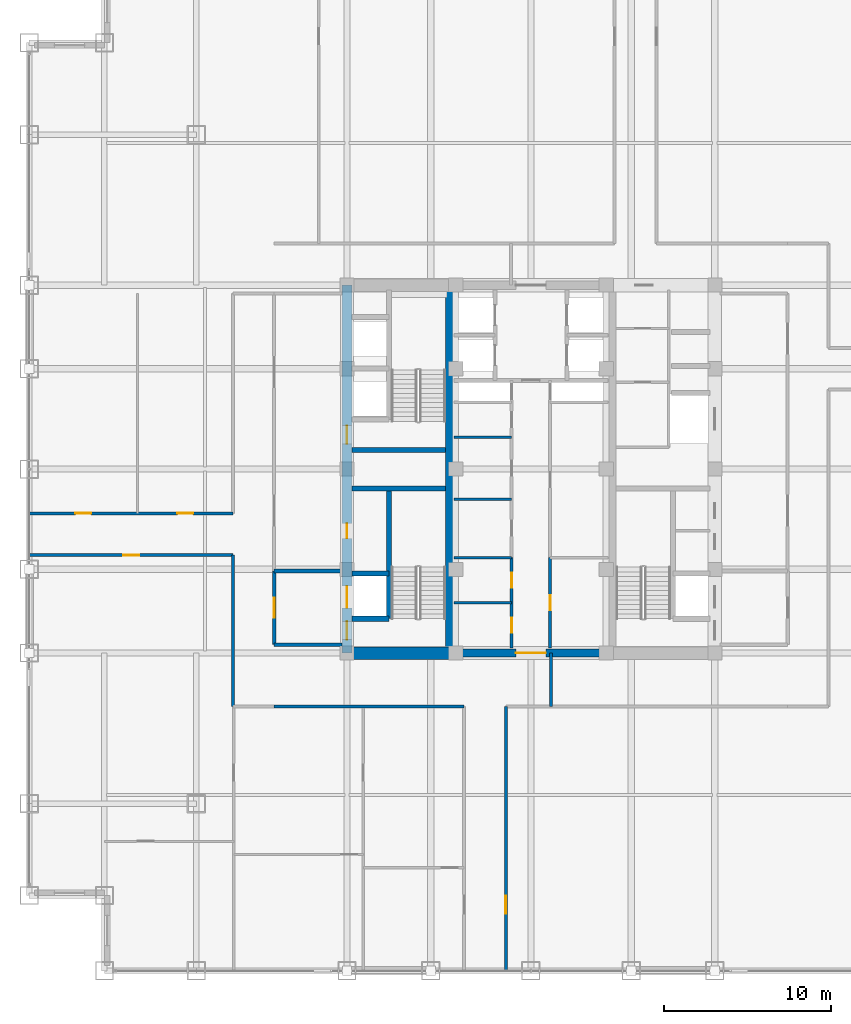
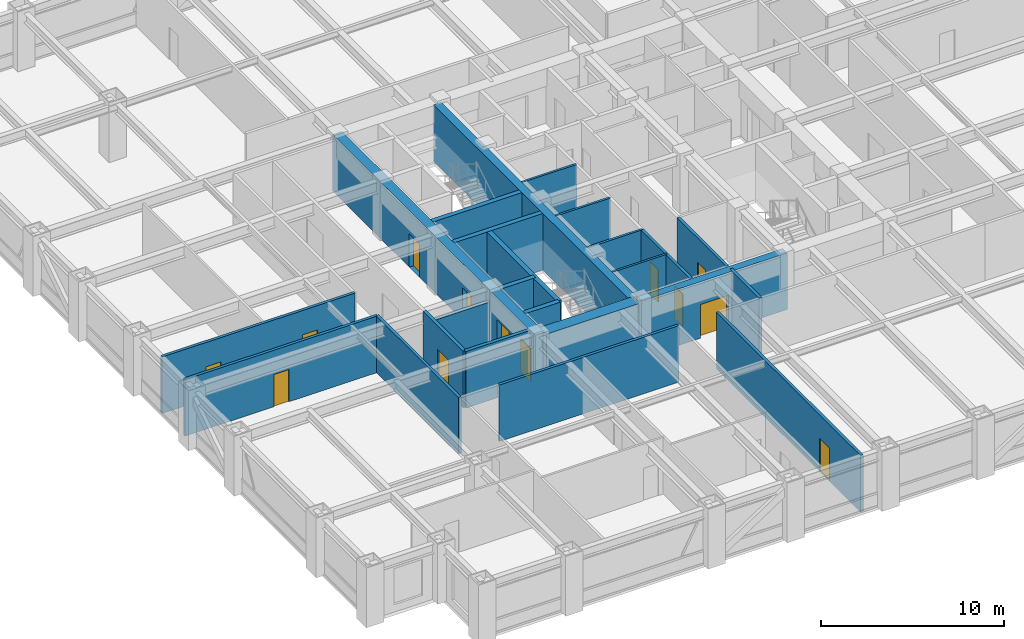
# One storey, part 20 of 24: 24 walls, 13 doors, 13 openings.
"""IFC4 building model written with IfcOpenShell, lengths in metres."""

from ifc_helpers import new_model, si_unit, direction, frame, frame_2d, origin, place, context, subcontext, project, spatial, rectangle, extrude, source, transform, mapped, material, layer, layer_set, type_object, element, fill, save


model = new_model("IFC4")

# Units and contexts
model_context = context("Model", 3, precision=1e-05, world=origin(), true_north=direction((0.0, 1.0)))
body_context = subcontext(model_context, "Body", "Model", "MODEL_VIEW")
ifc_project = project(units=[si_unit("LENGTHUNIT", "METRE"), si_unit("AREAUNIT", "SQUARE_METRE"), si_unit("VOLUMEUNIT", "CUBIC_METRE"), si_unit("PLANEANGLEUNIT", "RADIAN"), si_unit("MASSUNIT", "GRAM", prefix="KILO")], contexts=[model_context])

# Site, building, storey
site_placement = place(None, origin())
site = spatial("IfcSite", under=ifc_project, at=site_placement, CompositionType="ELEMENT")
building_placement = place(site_placement, origin())
building = spatial("IfcBuilding", under=site, at=building_placement, Name="Khorayat Bourse Tower", CompositionType="ELEMENT")
storey_placement = place(building_placement, frame((0.0, 0.0, 171.10009765625)))
storey = spatial("IfcBuildingStorey", under=building, at=storey_placement, Name="L39", CompositionType="ELEMENT", Elevation=171.10009765625)

# Wall, openings, doors
ifc_material_1 = material(Name="Concrete C60/75", Category="concrete")
ifc_layer_1 = layer(ifc_material_1, 0.60009765625)
ifc_layer_set_1 = layer_set([ifc_layer_1], Name="Concrete C60/75")
wall_type_1 = type_object("IfcWallType", Name="WAL-CORE-600", PredefinedType="SHEAR", material=ifc_layer_set_1)
shared_shape_1 = source(origin(), body_context, "Body", "SweptSolid", [
    extrude(rectangle(XDim=22.0, YDim=0.60009765625, at=frame_2d((11.0, 0.0))), origin(), (0.0, 0.0, 1.0), 3.77978515625),
])
wall_1_placement = place(storey_placement, frame((-11.0, -11.0, 0.0), z_axis=(0.0, 0.0, 1.0), x_axis=(0.0, 1.0, 0.0)))
wall_1 = element("IfcWall", 1, at=wall_1_placement, inside=storey, type_object=wall_type_1, Name="L39 Core Shear Wall CORE-W", PredefinedType="SHEAR", context=body_context, shape_type="MappedRepresentation", body=[
    mapped(shared_shape_1, transform((0.0, 0.0, 0.0), scale=1.0)),
])
shared_shape_2 = source(origin(), body_context, "Body", "SweptSolid", [
    extrude(rectangle(XDim=1.10009765625, YDim=2.199951171875, at=frame_2d((0.550048828125, 1.10009765625))), frame((0.0, 0.31005859375, 0.0), z_axis=(0.0, -1.0, 0.0), x_axis=(1.0, 0.0, 0.0)), (0.0, 0.0, 1.0), 0.6201171875),
])
opening_1_placement = place(wall_1_placement, frame((0.800048828125, 0.0, 0.0)))
opening_1 = element("IfcOpeningElement", 2, at=opening_1_placement, cuts=wall_1, Name="Opening DI-01", PredefinedType="OPENING", context=body_context, shape_type="MappedRepresentation", body=[
    mapped(shared_shape_2, transform((0.0, 0.0, 0.0), scale=1.0)),
])
opening_2_placement = place(wall_1_placement, frame((12.5, 0.0, 0.0)))
opening_2 = element("IfcOpeningElement", 3, at=opening_2_placement, cuts=wall_1, Name="Opening DI-01", PredefinedType="OPENING", context=body_context, shape_type="MappedRepresentation", body=[
    mapped(shared_shape_2, transform((0.0, 0.0, 0.0), scale=1.0)),
])
shared_shape_3 = source(origin(), body_context, "Body", "SweptSolid", [
    extrude(rectangle(XDim=0.89990234375, YDim=2.14990234375, at=frame_2d((0.449951171875, 1.074951171875))), frame((0.0, 0.31005859375, 0.0), z_axis=(0.0, -1.0, 0.0), x_axis=(1.0, 0.0, 0.0)), (0.0, 0.0, 1.0), 0.6201171875),
])
opening_3_placement = place(wall_1_placement, frame((6.85009765625, 0.0, 0.0)))
opening_3 = element("IfcOpeningElement", 4, at=opening_3_placement, cuts=wall_1, Name="Opening DI-06", PredefinedType="OPENING", context=body_context, shape_type="MappedRepresentation", body=[
    mapped(shared_shape_3, transform((0.0, 0.0, 0.0), scale=1.0)),
])
shared_shape_4 = source(origin(), body_context, "Body", "SweptSolid", [
    extrude(rectangle(XDim=1.300048828125, YDim=2.300048828125, at=frame_2d((0.64990234375, 1.14990234375))), frame((0.0, 0.31005859375, 0.0), z_axis=(0.0, -1.0, 0.0), x_axis=(1.0, 0.0, 0.0)), (0.0, 0.0, 1.0), 0.6201171875),
])
opening_4_placement = place(wall_1_placement, frame((2.699951171875, 0.0, 0.0)))
opening_4 = element("IfcOpeningElement", 5, at=opening_4_placement, cuts=wall_1, Name="Opening LD-02", PredefinedType="OPENING", context=body_context, shape_type="MappedRepresentation", body=[
    mapped(shared_shape_4, transform((0.0, 0.0, 0.0), scale=1.0)),
])
ifc_material_2 = material(Name="Fire-rated steel acoustic leaf", Category="steel")
door_type_1 = type_object("IfcDoorType", Name="DR-INT-STAIR-1100", OperationType="NOTDEFINED", PredefinedType="DOOR", material=ifc_material_2)
shared_shape_5 = source(origin(), body_context, "Body", "SweptSolid", [
    extrude(rectangle(XDim=1.10009765625, YDim=2.199951171875, at=frame_2d((0.550048828125, 1.10009765625))), frame((0.0, 0.02490234375, 0.0), z_axis=(0.0, -1.0, 0.0), x_axis=(1.0, 0.0, 0.0)), (0.0, 0.0, 1.0), 0.050048828125),
])
door_1_placement = place(opening_1_placement, origin())
door_1 = element("IfcDoor", 6, at=door_1_placement, inside=storey, type_object=door_type_1, Name="L39 Exit Stair 1 Door", OperationType="SINGLE_SWING_RIGHT", OverallHeight=2.199951171875, OverallWidth=1.10009765625, PredefinedType="DOOR", context=body_context, shape_type="MappedRepresentation", body=[
    mapped(shared_shape_5, transform((0.0, 0.0, 0.0), scale=1.0)),
])
fill(opening_1, door_1)
door_2_placement = place(opening_2_placement, origin())
door_2 = element("IfcDoor", 7, at=door_2_placement, inside=storey, type_object=door_type_1, Name="L39 Exit Stair 2 Door", OperationType="SINGLE_SWING_RIGHT", OverallHeight=2.199951171875, OverallWidth=1.10009765625, PredefinedType="DOOR", context=body_context, shape_type="MappedRepresentation", body=[
    mapped(shared_shape_5, transform((0.0, 0.0, 0.0), scale=1.0)),
])
fill(opening_2, door_2)
ifc_material_3 = material(Name="Moisture-resistant laminate washroom door")
door_type_2 = type_object("IfcDoorType", Name="DR-INT-WC-900", OperationType="NOTDEFINED", PredefinedType="DOOR", material=ifc_material_3)
shared_shape_6 = source(origin(), body_context, "Body", "SweptSolid", [
    extrude(rectangle(XDim=0.89990234375, YDim=2.14990234375, at=frame_2d((0.449951171875, 1.074951171875))), frame((0.0, 0.02490234375, 0.0), z_axis=(0.0, -1.0, 0.0), x_axis=(1.0, 0.0, 0.0)), (0.0, 0.0, 1.0), 0.050048828125),
])
door_3_placement = place(opening_3_placement, origin())
door_3 = element("IfcDoor", 8, at=door_3_placement, inside=storey, type_object=door_type_2, Name="L39 Electrical Switch Plant Room Door", OperationType="SINGLE_SWING_RIGHT", OverallHeight=2.14990234375, OverallWidth=0.89990234375, PredefinedType="DOOR", context=body_context, shape_type="MappedRepresentation", body=[
    mapped(shared_shape_6, transform((0.0, 0.0, 0.0), scale=1.0)),
])
fill(opening_3, door_3)
ifc_material_4 = material(Name="Fire-rated stainless-steel sliding landing door", Category="steel")
door_type_3 = type_object("IfcDoorType", Name="DR-LIFT-FF-1300", OperationType="NOTDEFINED", PredefinedType="DOOR", material=ifc_material_4)
shared_shape_7 = source(origin(), body_context, "Body", "SweptSolid", [
    extrude(rectangle(XDim=1.300048828125, YDim=2.300048828125, at=frame_2d((0.64990234375, 1.14990234375))), frame((0.0, 0.02490234375, 0.0), z_axis=(0.0, -1.0, 0.0), x_axis=(1.0, 0.0, 0.0)), (0.0, 0.0, 1.0), 0.050048828125),
])
door_4_placement = place(opening_4_placement, origin())
door_4 = element("IfcDoor", 9, at=door_4_placement, inside=storey, type_object=door_type_3, Name="L39 Lift FFL-01 Sliding Landing Door", OperationType="SLIDING_TO_LEFT", OverallHeight=2.300048828125, OverallWidth=1.300048828125, PredefinedType="DOOR", context=body_context, shape_type="MappedRepresentation", body=[
    mapped(shared_shape_7, transform((0.0, 0.0, 0.0), scale=1.0)),
])
fill(opening_4, door_4)

# Walls
ifc_material_5 = material(Name="Concrete C52/65", Category="concrete")
ifc_layer_2 = layer(ifc_material_5, 0.5)
ifc_layer_set_2 = layer_set([ifc_layer_2], Name="Concrete C52/65")
wall_type_2 = type_object("IfcWallType", Name="WAL-CORE-500", PredefinedType="SHEAR", material=ifc_layer_set_2)
shared_shape_8 = source(origin(), body_context, "Body", "SweptSolid", [
    extrude(rectangle(XDim=21.39990234375, YDim=0.5, at=frame_2d((10.699951171875, 0.0))), origin(), (0.0, 0.0, 1.0), 3.77978515625),
])
wall_2_placement = place(storey_placement, frame((-4.85009765625, -10.699951171875, 0.0), z_axis=(0.0, 0.0, 1.0), x_axis=(0.0, 1.0, 0.0)))
element("IfcWall", 10, at=wall_2_placement, inside=storey, type_object=wall_type_2, Name="L39 Core Shear Wall PIER-W", PredefinedType="SHEAR", context=body_context, shape_type="MappedRepresentation", body=[
    mapped(shared_shape_8, transform((0.0, 0.0, 0.0), scale=1.0)),
])
ifc_material_6 = material(Name="Concrete C72/90", Category="concrete")
ifc_layer_3 = layer(ifc_material_6, 0.75)
ifc_layer_set_3 = layer_set([ifc_layer_3], Name="Concrete C72/90")
wall_type_3 = type_object("IfcWallType", Name="WAL-CORE-750", PredefinedType="SHEAR", material=ifc_layer_set_3)
shared_shape_9 = source(origin(), body_context, "Body", "SweptSolid", [
    extrude(rectangle(XDim=5.849853515625, YDim=0.75, at=frame_2d((2.9248046875, 0.0))), origin(), (0.0, 0.0, 1.0), 3.77978515625),
])
wall_3_placement = place(storey_placement, frame((-10.699951171875, -11.0, 0.0), z_axis=(0.0, 0.0, 1.0), x_axis=(1.0, 0.0, 0.0)))
element("IfcWall", 11, at=wall_3_placement, inside=storey, type_object=wall_type_3, Name="L39 Core Shear Wall PIER-WS", PredefinedType="SHEAR", context=body_context, shape_type="MappedRepresentation", body=[
    mapped(shared_shape_9, transform((0.0, 0.0, 0.0), scale=1.0)),
])
ifc_material_7 = material(Name="Concrete C50/60", Category="concrete")
ifc_layer_4 = layer(ifc_material_7, 0.300048828125)
ifc_layer_set_4 = layer_set([ifc_layer_4], Name="Concrete C50/60")
wall_type_4 = type_object("IfcWallType", Name="WAL-SHAFT-300", PredefinedType="SHEAR", material=ifc_layer_set_4)
shared_shape_10 = source(origin(), body_context, "Body", "SweptSolid", [
    extrude(rectangle(XDim=5.599853515625, YDim=0.300048828125, at=frame_2d((2.7998046875, 0.0))), origin(), (0.0, 0.0, 1.0), 3.77978515625),
])
for number, where, z_axis, x_axis, name in (
    (12, (-10.699951171875, -1.14990234375, 0.0), (0.0, 0.0, 1.0), (1.0, 0.0, 0.0), "L39 Core Shear Wall ST1-DIV"),
    (13, (-10.699951171875, 1.14990234375, 0.0), (0.0, 0.0, 1.0), (1.0, 0.0, 0.0), "L39 Core Shear Wall ST2-DIV"),
):
    element("IfcWall", number, at=place(storey_placement, frame(where, z_axis=z_axis, x_axis=x_axis)), inside=storey, type_object=wall_type_4, Name=name, PredefinedType="SHEAR", context=body_context, shape_type="MappedRepresentation", body=[
        mapped(shared_shape_10, transform((0.0, 0.0, 0.0), scale=1.0)),
    ])

# Wall, opening, door
shared_shape_11 = source(origin(), body_context, "Body", "SweptSolid", [
    extrude(rectangle(XDim=9.2001953125, YDim=0.5, at=frame_2d((4.60009765625, 0.0))), origin(), (0.0, 0.0, 1.0), 3.77978515625),
])
wall_4_placement = place(storey_placement, frame((-4.60009765625, -11.0, 0.0), z_axis=(0.0, 0.0, 1.0), x_axis=(1.0, 0.0, 0.0)))
wall_4 = element("IfcWall", 14, at=wall_4_placement, inside=storey, type_object=wall_type_2, Name="L39 Core Shear Wall CORE-S", PredefinedType="SHEAR", context=body_context, shape_type="MappedRepresentation", body=[
    mapped(shared_shape_11, transform((0.0, 0.0, 0.0), scale=1.0)),
])
shared_shape_12 = source(origin(), body_context, "Body", "SweptSolid", [
    extrude(rectangle(XDim=1.800048828125, YDim=2.25, at=frame_2d((0.89990234375, 1.125))), frame((0.0, 0.260009765625, 0.0), z_axis=(0.0, -1.0, 0.0), x_axis=(1.0, 0.0, 0.0)), (0.0, 0.0, 1.0), 0.52001953125),
])
opening_5_placement = place(wall_4_placement, frame((3.699951171875, 0.0, 0.0)))
opening_5 = element("IfcOpeningElement", 15, at=opening_5_placement, cuts=wall_4, Name="Opening DI-03", PredefinedType="OPENING", context=body_context, shape_type="MappedRepresentation", body=[
    mapped(shared_shape_12, transform((0.0, 0.0, 0.0), scale=1.0)),
])
ifc_material_8 = material(Name="Fire-rated hardwood vision-panel double leaf", Category="wood")
door_type_4 = type_object("IfcDoorType", Name="DR-INT-CORR-1800", OperationType="NOTDEFINED", PredefinedType="DOOR", material=ifc_material_8)
shared_shape_13 = source(origin(), body_context, "Body", "SweptSolid", [
    extrude(rectangle(XDim=1.800048828125, YDim=2.25, at=frame_2d((0.89990234375, 1.125))), frame((0.0, 0.02490234375, 0.0), z_axis=(0.0, -1.0, 0.0), x_axis=(1.0, 0.0, 0.0)), (0.0, 0.0, 1.0), 0.050048828125),
])
door_5_placement = place(opening_5_placement, origin())
door_5 = element("IfcDoor", 16, at=door_5_placement, inside=storey, type_object=door_type_4, Name="L39 Central Core South Passage Door", OperationType="SINGLE_SWING_LEFT", OverallHeight=2.25, OverallWidth=1.800048828125, PredefinedType="DOOR", context=body_context, shape_type="MappedRepresentation", body=[
    mapped(shared_shape_13, transform((0.0, 0.0, 0.0), scale=1.0)),
])
fill(opening_5, door_5)

# Walls
shared_shape_14 = source(origin(), body_context, "Body", "SweptSolid", [
    extrude(rectangle(XDim=7.800048828125, YDim=0.300048828125, at=frame_2d((3.89990234375, 0.0))), origin(), (0.0, 0.0, 1.0), 3.77978515625),
])
wall_5_placement = place(storey_placement, frame((-8.5, -8.949951171875, 0.0), z_axis=(0.0, 0.0, 1.0), x_axis=(0.0, 1.0, 0.0)))
element("IfcWall", 17, at=wall_5_placement, inside=storey, type_object=wall_type_4, Name="L39 Partition WAL-L39-WPIER-SP", PredefinedType="SHEAR", context=body_context, shape_type="MappedRepresentation", body=[
    mapped(shared_shape_14, transform((0.0, 0.0, 0.0), scale=1.0)),
])
shared_shape_15 = source(origin(), body_context, "Body", "SweptSolid", [
    extrude(rectangle(XDim=2.199951171875, YDim=0.300048828125, at=frame_2d((1.10009765625, 0.0))), origin(), (0.0, 0.0, 1.0), 3.77978515625),
])
for number, where, z_axis, x_axis, name in (
    (18, (-10.699951171875, -8.949951171875, 0.0), (0.0, 0.0, 1.0), (1.0, 0.0, 0.0), "L39 Partition WAL-L39-WPIER-FF1S"),
    (19, (-10.699951171875, -6.25, 0.0), (0.0, 0.0, 1.0), (1.0, 0.0, 0.0), "L39 Partition WAL-L39-WPIER-FF1N"),
):
    element("IfcWall", number, at=place(storey_placement, frame(where, z_axis=z_axis, x_axis=x_axis)), inside=storey, type_object=wall_type_4, Name=name, PredefinedType="SHEAR", context=body_context, shape_type="MappedRepresentation", body=[
        mapped(shared_shape_15, transform((0.0, 0.0, 0.0), scale=1.0)),
    ])
ifc_material_9 = material(Name="Aerated concrete blockwork", Category="masonry")
ifc_layer_5 = layer(ifc_material_9, 0.219970703125)
ifc_layer_set_5 = layer_set([ifc_layer_5], Name="Aerated concrete blockwork")
wall_type_5 = type_object("IfcWallType", Name="WAL-PART-FF-220", PredefinedType="PARTITIONING", material=ifc_layer_set_5)
shared_shape_16 = source(origin(), body_context, "Body", "SweptSolid", [
    extrude(rectangle(XDim=4.050048828125, YDim=0.219970703125, at=frame_2d((2.02490234375, 0.0))), origin(), (0.0, 0.0, 1.0), 3.77978515625),
])
wall_6_placement = place(storey_placement, frame((-15.35009765625, -10.5, 0.0), z_axis=(0.0, 0.0, 1.0), x_axis=(1.0, 0.0, 0.0)))
element("IfcWall", 20, at=wall_6_placement, inside=storey, type_object=wall_type_5, Name="L39 Partition WAL-L39-FFLW-S", PredefinedType="PARTITIONING", context=body_context, shape_type="MappedRepresentation", body=[
    mapped(shared_shape_16, transform((0.0, 0.0, 0.0), scale=1.0)),
])
shared_shape_17 = source(origin(), body_context, "Body", "SweptSolid", [
    extrude(rectangle(XDim=4.050048828125, YDim=0.219970703125, at=frame_2d((2.02490234375, 0.0))), origin(), (0.0, 0.0, 1.0), 3.0068359375),
])
wall_7_placement = place(storey_placement, frame((-15.35009765625, -6.10009765625, 0.0), z_axis=(0.0, 0.0, 1.0), x_axis=(1.0, 0.0, 0.0)))
element("IfcWall", 21, at=wall_7_placement, inside=storey, type_object=wall_type_5, Name="L39 Partition WAL-L39-FFLW-N", PredefinedType="PARTITIONING", context=body_context, shape_type="MappedRepresentation", body=[
    mapped(shared_shape_17, transform((0.0, 0.0, 0.0), scale=1.0)),
])

# Wall, opening, door
shared_shape_18 = source(origin(), body_context, "Body", "SweptSolid", [
    extrude(rectangle(XDim=4.39990234375, YDim=0.219970703125, at=frame_2d((2.199951171875, 0.0))), origin(), (0.0, 0.0, 1.0), 3.77978515625),
])
wall_8_placement = place(storey_placement, frame((-15.35009765625, -10.5, 0.0), z_axis=(0.0, 0.0, 1.0), x_axis=(0.0, 1.0, 0.0)))
wall_8 = element("IfcWall", 22, at=wall_8_placement, inside=storey, type_object=wall_type_5, Name="L39 Partition WAL-L39-FFLW-W", PredefinedType="PARTITIONING", context=body_context, shape_type="MappedRepresentation", body=[
    mapped(shared_shape_18, transform((0.0, 0.0, 0.0), scale=1.0)),
])
shared_shape_19 = source(origin(), body_context, "Body", "SweptSolid", [
    extrude(rectangle(XDim=1.199951171875, YDim=2.199951171875, at=frame_2d((0.60009765625, 1.10009765625))), frame((0.0, 0.119873046875, 0.0), z_axis=(0.0, -1.0, 0.0), x_axis=(1.0, 0.0, 0.0)), (0.0, 0.0, 1.0), 0.239990234375),
])
opening_6_placement = place(wall_8_placement, frame((1.60009765625, 0.0, 0.0)))
opening_6 = element("IfcOpeningElement", 23, at=opening_6_placement, cuts=wall_8, Name="Opening DI-02", PredefinedType="OPENING", context=body_context, shape_type="MappedRepresentation", body=[
    mapped(shared_shape_19, transform((0.0, 0.0, 0.0), scale=1.0)),
])
ifc_material_10 = material(Name="Fire-rated steel double-seal leaf", Category="steel")
door_type_5 = type_object("IfcDoorType", Name="DR-INT-FFLOBBY-1200", OperationType="NOTDEFINED", PredefinedType="DOOR", material=ifc_material_10)
shared_shape_20 = source(origin(), body_context, "Body", "SweptSolid", [
    extrude(rectangle(XDim=1.199951171875, YDim=2.199951171875, at=frame_2d((0.60009765625, 1.10009765625))), frame((0.0, 0.02490234375, 0.0), z_axis=(0.0, -1.0, 0.0), x_axis=(1.0, 0.0, 0.0)), (0.0, 0.0, 1.0), 0.050048828125),
])
door_6_placement = place(opening_6_placement, origin())
door_6 = element("IfcDoor", 24, at=door_6_placement, inside=storey, type_object=door_type_5, Name="L39 West Firefighting Lobby Door", OperationType="SINGLE_SWING_LEFT", OverallHeight=2.199951171875, OverallWidth=1.199951171875, PredefinedType="DOOR", context=body_context, shape_type="MappedRepresentation", body=[
    mapped(shared_shape_20, transform((0.0, 0.0, 0.0), scale=1.0)),
])
fill(opening_6, door_6)

# Walls
ifc_material_11 = material(Name="Gypsum plasterboard twin-frame partition")
ifc_layer_6 = layer(ifc_material_11, 0.14990234375)
ifc_layer_set_6 = layer_set([ifc_layer_6], Name="Gypsum plasterboard twin-frame partition")
wall_type_6 = type_object("IfcWallType", Name="WAL-PART-SUITE-150", PredefinedType="PARTITIONING", material=ifc_layer_set_6)
shared_shape_21 = source(origin(), body_context, "Body", "SweptSolid", [
    extrude(rectangle(XDim=3.4501953125, YDim=0.14990234375, at=frame_2d((1.72509765625, 0.0))), origin(), (0.0, 0.0, 1.0), 3.77978515625),
])
wall_9_placement = place(storey_placement, frame((-4.60009765625, -5.300048828125, 0.0), z_axis=(0.0, 0.0, 1.0), x_axis=(1.0, 0.0, 0.0)))
element("IfcWall", 25, at=wall_9_placement, inside=storey, type_object=wall_type_6, Name="L39 Partition WAL-L39-FB1-NW", PredefinedType="PARTITIONING", context=body_context, shape_type="MappedRepresentation", body=[
    mapped(shared_shape_21, transform((0.0, 0.0, 0.0), scale=1.0)),
])
ifc_material_12 = material(Name="Moisture-resistant masonry partition", Category="masonry")
ifc_layer_7 = layer(ifc_material_12, 0.139892578125)
ifc_layer_set_7 = layer_set([ifc_layer_7], Name="Moisture-resistant masonry partition")
wall_type_7 = type_object("IfcWallType", Name="WAL-PART-WET-140", PredefinedType="PARTITIONING", material=ifc_layer_set_7)
shared_shape_22 = source(origin(), body_context, "Body", "SweptSolid", [
    extrude(rectangle(XDim=3.4501953125, YDim=0.139892578125, at=frame_2d((1.72509765625, 0.0))), origin(), (0.0, 0.0, 1.0), 3.77978515625),
])
for number, where, z_axis, x_axis, name in (
    (26, (-4.60009765625, -8.0, 0.0), (0.0, 0.0, 1.0), (1.0, 0.0, 0.0), "L39 Partition WAL-L39-FB1W-D1"),
    (27, (-4.60009765625, -1.800048828125, 0.0), (0.0, 0.0, 1.0), (1.0, 0.0, 0.0), "L39 Partition WAL-L39-CMW-D1"),
    (28, (-4.60009765625, 1.89990234375, 0.0), (0.0, 0.0, 1.0), (1.0, 0.0, 0.0), "L39 Partition WAL-L39-CMW-D2"),
):
    element("IfcWall", number, at=place(storey_placement, frame(where, z_axis=z_axis, x_axis=x_axis)), inside=storey, type_object=wall_type_7, Name=name, PredefinedType="PARTITIONING", context=body_context, shape_type="MappedRepresentation", body=[
        mapped(shared_shape_22, transform((0.0, 0.0, 0.0), scale=1.0)),
    ])

# Wall, openings, doors
ifc_material_13 = material(Name="Gypsum plasterboard acoustic stud wall")
ifc_layer_8 = layer(ifc_material_13, 0.179931640625)
ifc_layer_set_8 = layer_set([ifc_layer_8], Name="Gypsum plasterboard acoustic stud wall")
wall_type_8 = type_object("IfcWallType", Name="WAL-PART-CORR-180", PredefinedType="PARTITIONING", material=ifc_layer_set_8)
shared_shape_23 = source(origin(), body_context, "Body", "SweptSolid", [
    extrude(rectangle(XDim=5.39990234375, YDim=0.179931640625, at=frame_2d((2.699951171875, 0.0))), origin(), (0.0, 0.0, 1.0), 3.77978515625),
])
wall_10_placement = place(storey_placement, frame((-1.14990234375, -10.699951171875, 0.0), z_axis=(0.0, 0.0, 1.0), x_axis=(0.0, 1.0, 0.0)))
wall_10 = element("IfcWall", 29, at=wall_10_placement, inside=storey, type_object=wall_type_8, Name="L39 Partition WAL-L39-FB1W-L", PredefinedType="PARTITIONING", context=body_context, shape_type="MappedRepresentation", body=[
    mapped(shared_shape_23, transform((0.0, 0.0, 0.0), scale=1.0)),
])
shared_shape_24 = source(origin(), body_context, "Body", "SweptSolid", [
    extrude(rectangle(XDim=0.89990234375, YDim=2.14990234375, at=frame_2d((0.449951171875, 1.074951171875))), frame((0.0, 0.099853515625, 0.0), z_axis=(0.0, -1.0, 0.0), x_axis=(1.0, 0.0, 0.0)), (0.0, 0.0, 1.0), 0.199951171875),
])
opening_7_placement = place(wall_10_placement, frame((0.89990234375, 0.0, 0.0)))
opening_7 = element("IfcOpeningElement", 30, at=opening_7_placement, cuts=wall_10, Name="Opening DI-06", PredefinedType="OPENING", context=body_context, shape_type="MappedRepresentation", body=[
    mapped(shared_shape_24, transform((0.0, 0.0, 0.0), scale=1.0)),
])
opening_8_placement = place(wall_10_placement, frame((3.60009765625, 0.0, 0.0)))
opening_8 = element("IfcOpeningElement", 31, at=opening_8_placement, cuts=wall_10, Name="Opening DI-06", PredefinedType="OPENING", context=body_context, shape_type="MappedRepresentation", body=[
    mapped(shared_shape_24, transform((0.0, 0.0, 0.0), scale=1.0)),
])
door_7_placement = place(opening_7_placement, origin())
door_7 = element("IfcDoor", 32, at=door_7_placement, inside=storey, type_object=door_type_2, Name="L39 Clearing Vault Store Door", OperationType="SINGLE_SWING_RIGHT", OverallHeight=2.14990234375, OverallWidth=0.89990234375, PredefinedType="DOOR", context=body_context, shape_type="MappedRepresentation", body=[
    mapped(shared_shape_6, transform((0.0, 0.0, 0.0), scale=1.0)),
])
fill(opening_7, door_7)
door_8_placement = place(opening_8_placement, origin())
door_8 = element("IfcDoor", 33, at=door_8_placement, inside=storey, type_object=door_type_2, Name="L39 UPS Battery Plant Room Door", OperationType="SINGLE_SWING_LEFT", OverallHeight=2.14990234375, OverallWidth=0.89990234375, PredefinedType="DOOR", context=body_context, shape_type="MappedRepresentation", body=[
    mapped(shared_shape_6, transform((0.0, 0.0, 0.0), scale=1.0)),
])
fill(opening_8, door_8)

# Wall, opening, door
wall_11_placement = place(storey_placement, frame((1.14990234375, -10.699951171875, 0.0), z_axis=(0.0, 0.0, 1.0), x_axis=(0.0, 1.0, 0.0)))
wall_11 = element("IfcWall", 34, at=wall_11_placement, inside=storey, type_object=wall_type_8, Name="L39 Partition WAL-L39-FB1E-L", PredefinedType="PARTITIONING", context=body_context, shape_type="MappedRepresentation", body=[
    mapped(shared_shape_23, transform((0.0, 0.0, 0.0), scale=1.0)),
])
opening_9_placement = place(wall_11_placement, frame((2.25, 0.0, 0.0)))
opening_9 = element("IfcOpeningElement", 35, at=opening_9_placement, cuts=wall_11, Name="Opening DI-06", PredefinedType="OPENING", context=body_context, shape_type="MappedRepresentation", body=[
    mapped(shared_shape_24, transform((0.0, 0.0, 0.0), scale=1.0)),
])
door_9_placement = place(opening_9_placement, origin())
door_9 = element("IfcDoor", 36, at=door_9_placement, inside=storey, type_object=door_type_2, Name="L39 Core Archive Vault Door", OperationType="SINGLE_SWING_RIGHT", OverallHeight=2.14990234375, OverallWidth=0.89990234375, PredefinedType="DOOR", context=body_context, shape_type="MappedRepresentation", body=[
    mapped(shared_shape_6, transform((0.0, 0.0, 0.0), scale=1.0)),
])
fill(opening_9, door_9)

# Wall
shared_shape_25 = source(origin(), body_context, "Body", "SweptSolid", [
    extrude(rectangle(XDim=3.199951171875, YDim=0.179931640625, at=frame_2d((1.60009765625, 0.0))), origin(), (0.0, 0.0, 1.0), 3.77978515625),
])
wall_12_placement = place(storey_placement, frame((1.199951171875, -14.199951171875, 0.0), z_axis=(0.0, 0.0, 1.0), x_axis=(0.0, 1.0, 0.0)))
element("IfcWall", 37, at=wall_12_placement, inside=storey, type_object=wall_type_8, Name="L39 Partition WAL-L39-C2-SCE", PredefinedType="PARTITIONING", context=body_context, shape_type="MappedRepresentation", body=[
    mapped(shared_shape_25, transform((0.0, 0.0, 0.0), scale=1.0)),
])

# Wall, opening, door
shared_shape_26 = source(origin(), body_context, "Body", "SweptSolid", [
    extrude(rectangle(XDim=15.800048828125, YDim=0.179931640625, at=frame_2d((7.89990234375, 0.0))), origin(), (0.0, 0.0, 1.0), 3.77978515625),
])
wall_13_placement = place(storey_placement, frame((-1.5, -30.0, 0.0), z_axis=(0.0, 0.0, 1.0), x_axis=(0.0, 1.0, 0.0)))
wall_13 = element("IfcWall", 38, at=wall_13_placement, inside=storey, type_object=wall_type_8, Name="L39 Partition WAL-L39-QSE-SPK", PredefinedType="PARTITIONING", context=body_context, shape_type="MappedRepresentation", body=[
    mapped(shared_shape_26, transform((0.0, 0.0, 0.0), scale=1.0)),
])
shared_shape_27 = source(origin(), body_context, "Body", "SweptSolid", [
    extrude(rectangle(XDim=1.050048828125, YDim=2.199951171875, at=frame_2d((0.52490234375, 1.10009765625))), frame((0.0, 0.099853515625, 0.0), z_axis=(0.0, -1.0, 0.0), x_axis=(1.0, 0.0, 0.0)), (0.0, 0.0, 1.0), 0.199951171875),
])
opening_10_placement = place(wall_13_placement, frame((3.425048828125, 0.0, 0.0)))
opening_10 = element("IfcOpeningElement", 39, at=opening_10_placement, cuts=wall_13, Name="Opening DI-04", PredefinedType="OPENING", context=body_context, shape_type="MappedRepresentation", body=[
    mapped(shared_shape_27, transform((0.0, 0.0, 0.0), scale=1.0)),
])
ifc_material_14 = material(Name="Fire-rated oak veneer suite entrance door")
door_type_6 = type_object("IfcDoorType", Name="DR-INT-SUITE-1050", OperationType="NOTDEFINED", PredefinedType="DOOR", material=ifc_material_14)
shared_shape_28 = source(origin(), body_context, "Body", "SweptSolid", [
    extrude(rectangle(XDim=1.050048828125, YDim=2.199951171875, at=frame_2d((0.52490234375, 1.10009765625))), frame((0.0, 0.02490234375, 0.0), z_axis=(0.0, -1.0, 0.0), x_axis=(1.0, 0.0, 0.0)), (0.0, 0.0, 1.0), 0.050048828125),
])
door_10_placement = place(opening_10_placement, origin())
door_10 = element("IfcDoor", 40, at=door_10_placement, inside=storey, type_object=door_type_6, Name="L39 South-East Radial Spoke Entry", OperationType="SINGLE_SWING_LEFT", OverallHeight=2.199951171875, OverallWidth=1.050048828125, PredefinedType="DOOR", context=body_context, shape_type="MappedRepresentation", body=[
    mapped(shared_shape_28, transform((0.0, 0.0, 0.0), scale=1.0)),
])
fill(opening_10, door_10)

shared_shape_29 = source(origin(), body_context, "Body", "SweptSolid", [
    extrude(rectangle(XDim=12.199951171875, YDim=0.179931640625, at=frame_2d((6.10009765625, 0.0))), origin(), (0.0, 0.0, 1.0), 3.77978515625),
])
wall_14_placement = place(storey_placement, frame((-30.0, -5.14990234375, 0.0), z_axis=(0.0, 0.0, 1.0), x_axis=(1.0, 0.0, 0.0)))
wall_14 = element("IfcWall", 41, at=wall_14_placement, inside=storey, type_object=wall_type_8, Name="L39 Partition WAL-L39-WS-SPK", PredefinedType="PARTITIONING", context=body_context, shape_type="MappedRepresentation", body=[
    mapped(shared_shape_29, transform((0.0, 0.0, 0.0), scale=1.0)),
])
shared_shape_30 = source(origin(), body_context, "Body", "SweptSolid", [
    extrude(rectangle(XDim=0.949951171875, YDim=2.14990234375, at=frame_2d((0.47509765625, 1.074951171875))), frame((0.0, 0.099853515625, 0.0), z_axis=(0.0, -1.0, 0.0), x_axis=(1.0, 0.0, 0.0)), (0.0, 0.0, 1.0), 0.199951171875),
])
opening_11_placement = place(wall_14_placement, frame((5.625, 0.0, 0.0)))
opening_11 = element("IfcOpeningElement", 42, at=opening_11_placement, cuts=wall_14, Name="Opening DI-05", PredefinedType="OPENING", context=body_context, shape_type="MappedRepresentation", body=[
    mapped(shared_shape_30, transform((0.0, 0.0, 0.0), scale=1.0)),
])
ifc_material_15 = material(Name="Acoustic oak veneer office door")
door_type_7 = type_object("IfcDoorType", Name="DR-INT-OFFICE-950", OperationType="NOTDEFINED", PredefinedType="DOOR", material=ifc_material_15)
shared_shape_31 = source(origin(), body_context, "Body", "SweptSolid", [
    extrude(rectangle(XDim=0.949951171875, YDim=2.14990234375, at=frame_2d((0.47509765625, 1.074951171875))), frame((0.0, 0.02490234375, 0.0), z_axis=(0.0, -1.0, 0.0), x_axis=(1.0, 0.0, 0.0)), (0.0, 0.0, 1.0), 0.050048828125),
])
door_11_placement = place(opening_11_placement, origin())
door_11 = element("IfcDoor", 43, at=door_11_placement, inside=storey, type_object=door_type_7, Name="L39 Quantitative Research Study WS Door", OperationType="SINGLE_SWING_LEFT", OverallHeight=2.14990234375, OverallWidth=0.949951171875, PredefinedType="DOOR", context=body_context, shape_type="MappedRepresentation", body=[
    mapped(shared_shape_31, transform((0.0, 0.0, 0.0), scale=1.0)),
])
fill(opening_11, door_11)

# Wall, openings, doors
wall_15_placement = place(storey_placement, frame((-30.0, -2.64990234375, 0.0), z_axis=(0.0, 0.0, 1.0), x_axis=(1.0, 0.0, 0.0)))
wall_15 = element("IfcWall", 44, at=wall_15_placement, inside=storey, type_object=wall_type_8, Name="L39 Partition WAL-L39-WN-SPK", PredefinedType="PARTITIONING", context=body_context, shape_type="MappedRepresentation", body=[
    mapped(shared_shape_29, transform((0.0, 0.0, 0.0), scale=1.0)),
])
opening_12_placement = place(wall_15_placement, frame((2.758056640625, 0.0, 0.0)))
opening_12 = element("IfcOpeningElement", 45, at=opening_12_placement, cuts=wall_15, Name="Opening DI-05", PredefinedType="OPENING", context=body_context, shape_type="MappedRepresentation", body=[
    mapped(shared_shape_30, transform((0.0, 0.0, 0.0), scale=1.0)),
])
opening_13_placement = place(wall_15_placement, frame((8.85791015625, 0.0, 0.0)))
opening_13 = element("IfcOpeningElement", 46, at=opening_13_placement, cuts=wall_15, Name="Opening DI-05", PredefinedType="OPENING", context=body_context, shape_type="MappedRepresentation", body=[
    mapped(shared_shape_30, transform((0.0, 0.0, 0.0), scale=1.0)),
])
door_12_placement = place(opening_12_placement, origin())
door_12 = element("IfcDoor", 47, at=door_12_placement, inside=storey, type_object=door_type_7, Name="L39 Executive Boardroom WNA Door", OperationType="SINGLE_SWING_LEFT", OverallHeight=2.14990234375, OverallWidth=0.949951171875, PredefinedType="DOOR", context=body_context, shape_type="MappedRepresentation", body=[
    mapped(shared_shape_31, transform((0.0, 0.0, 0.0), scale=1.0)),
])
fill(opening_12, door_12)
door_13_placement = place(opening_13_placement, origin())
door_13 = element("IfcDoor", 48, at=door_13_placement, inside=storey, type_object=door_type_7, Name="L39 Market Committee Conference Room WNB Door", OperationType="SINGLE_SWING_RIGHT", OverallHeight=2.14990234375, OverallWidth=0.949951171875, PredefinedType="DOOR", context=body_context, shape_type="MappedRepresentation", body=[
    mapped(shared_shape_31, transform((0.0, 0.0, 0.0), scale=1.0)),
])
fill(opening_13, door_13)

# Walls
shared_shape_32 = source(origin(), body_context, "Body", "SweptSolid", [
    extrude(rectangle(XDim=11.35009765625, YDim=0.179931640625, at=frame_2d((5.675048828125, 0.0))), origin(), (0.0, 0.0, 1.0), 3.77978515625),
])
wall_16_placement = place(storey_placement, frame((-15.35009765625, -14.199951171875, 0.0), z_axis=(0.0, 0.0, 1.0), x_axis=(1.0, 0.0, 0.0)))
element("IfcWall", 49, at=wall_16_placement, inside=storey, type_object=wall_type_8, Name="L39 Partition WAL-L39-QSW-HC", PredefinedType="PARTITIONING", context=body_context, shape_type="MappedRepresentation", body=[
    mapped(shared_shape_32, transform((0.0, 0.0, 0.0), scale=1.0)),
])
shared_shape_33 = source(origin(), body_context, "Body", "SweptSolid", [
    extrude(rectangle(XDim=9.050048828125, YDim=0.179931640625, at=frame_2d((4.52490234375, 0.0))), origin(), (0.0, 0.0, 1.0), 3.77978515625),
])
wall_17_placement = place(storey_placement, frame((-17.800048828125, -14.199951171875, 0.0), z_axis=(0.0, 0.0, 1.0), x_axis=(0.0, 1.0, 0.0)))
element("IfcWall", 50, at=wall_17_placement, inside=storey, type_object=wall_type_8, Name="L39 Partition WAL-L39-WS-IN", PredefinedType="PARTITIONING", context=body_context, shape_type="MappedRepresentation", body=[
    mapped(shared_shape_33, transform((0.0, 0.0, 0.0), scale=1.0)),
])

save(model, "model.ifc")
